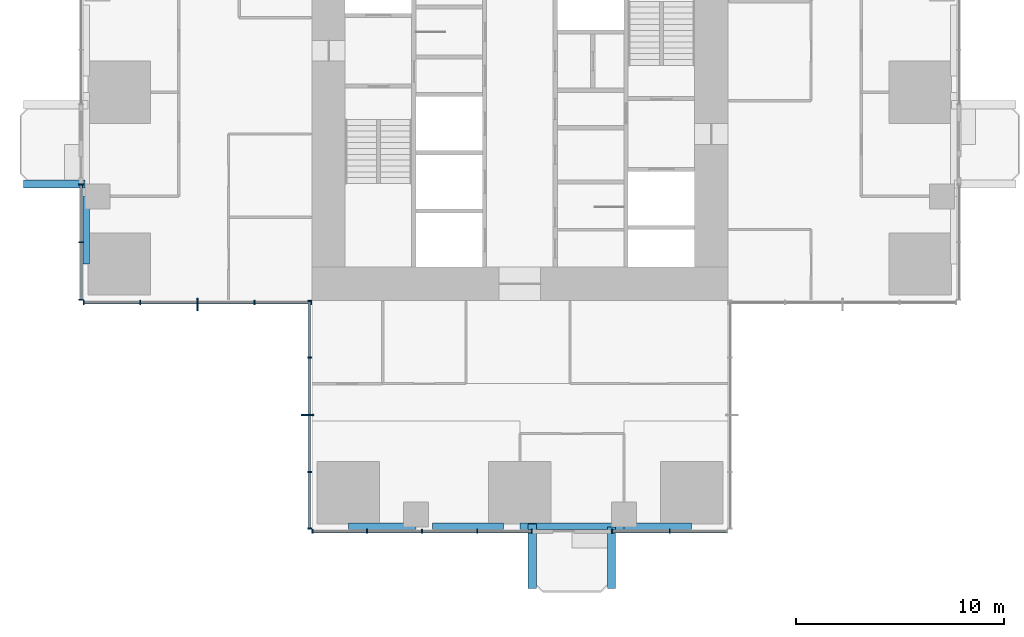
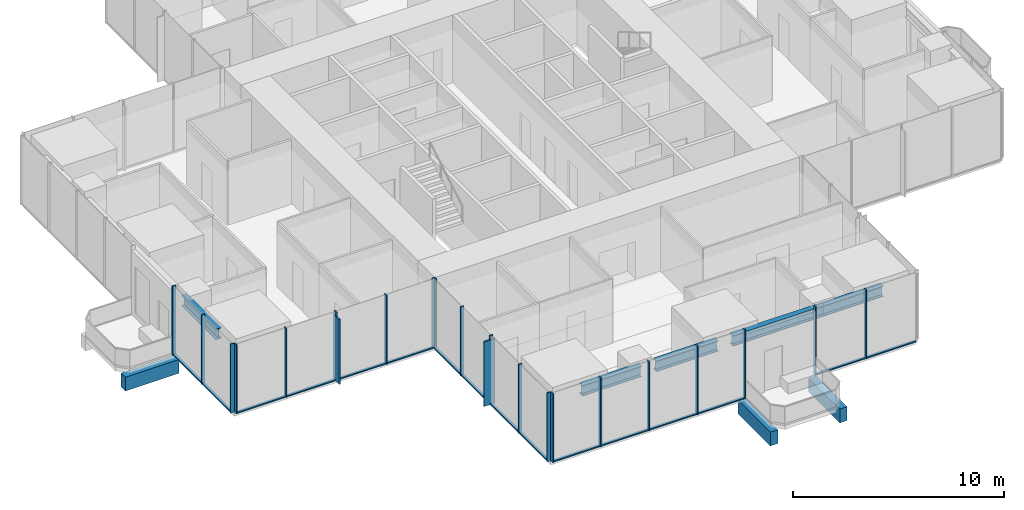
# One storey, part 2 of 14: 38 members, 8 beams, 5 elements without a shape of their own.
"""IFC4 building model written with IfcOpenShell, lengths in metres."""

from ifc_helpers import new_model, si_unit, direction, frame, origin, origin_2d, place, context, subcontext, project, spatial, rectangle, i_section, extrude, material, material_profile, profile_set, type_object, element, aggregate, save


model = new_model("IFC4")

# Units and contexts
model_context = context("Model", 3, precision=1e-05, world=origin(), true_north=direction((0.0, 1.0)))
body_context = subcontext(model_context, "Body", "Model", "MODEL_VIEW")
ifc_project = project(units=[si_unit("LENGTHUNIT", "METRE"), si_unit("AREAUNIT", "SQUARE_METRE"), si_unit("VOLUMEUNIT", "CUBIC_METRE"), si_unit("PLANEANGLEUNIT", "RADIAN"), si_unit("MASSUNIT", "GRAM", prefix="KILO")], contexts=[model_context])

# Site, building, storey
site_placement = place(None, origin())
site = spatial("IfcSite", under=ifc_project, at=site_placement, CompositionType="ELEMENT")
building_placement = place(site_placement, origin())
building = spatial("IfcBuilding", under=site, at=building_placement, Name="Svetlomir Tower", CompositionType="ELEMENT")
storey_placement = place(building_placement, frame((0.0, 0.0, 112.5)))
storey = spatial("IfcBuildingStorey", under=building, at=storey_placement, Name="L26", CompositionType="ELEMENT", Elevation=112.5)

# Beams
ifc_material_1 = material(Name="Concrete C60/75", Category="concrete")
ifc_material_profile_1 = material_profile(ifc_material_1, rectangle(XDim=0.39990234375, YDim=0.800048828125, at=origin_2d()), Name="RC 400x800")
ifc_profile_set_1 = profile_set([ifc_material_profile_1], Name="Concrete C60/75")
beam_type_1 = type_object("IfcBeamType", Name="BALCONY RIB RC 400x800", PredefinedType="BEAM", material=ifc_profile_set_1)
beam_1_placement = place(storey_placement, frame((21.60009765625, 0.25, -0.64990234375), z_axis=(0.0, -1.0, 0.0), x_axis=(1.0, 0.0, 0.0)))
element("IfcBeam", 1, at=beam_1_placement, inside=storey, type_object=beam_type_1, Name="Balcony rib S 1 L26", PredefinedType="BEAM", context=body_context, shape_type="SweptSolid", body=[
    extrude(rectangle(XDim=0.39990234375, YDim=0.800048828125, at=origin_2d()), origin(), (0.0, 0.0, 1.0), 3.10009765625),
])
for number, where, z_axis, x_axis, name in (
    (2, (25.39990234375, 0.10009765625, -0.64990234375), (0.0, -1.0, 0.0), (1.0, 0.0, 0.0), "Balcony rib S 2 L26"),
    (3, (0.10009765625, 16.60009765625, -0.64990234375), (-1.0, 0.0, 0.0), (0.0, -1.0, 0.0), "Balcony rib W 1 L26"),
):
    element("IfcBeam", number, at=place(storey_placement, frame(where, z_axis=z_axis, x_axis=x_axis)), inside=storey, type_object=beam_type_1, Name=name, PredefinedType="BEAM", context=body_context, shape_type="SweptSolid", body=[
        extrude(rectangle(XDim=0.39990234375, YDim=0.800048828125, at=origin_2d()), origin(), (0.0, 0.0, 1.0), 2.9501953125),
    ])

# Curtain wall, member
ifc_material_2 = material(Name="Bronze anodised aluminium curtain wall", Category="aluminium")
curtain_wall_type = type_object("IfcCurtainWallType", Name="CURTAIN WALL CW1 TOWER OFFICE", PredefinedType="NOTDEFINED", material=ifc_material_2)
curtain_wall_1_placement = place(storey_placement, origin())
curtain_wall_1 = element("IfcCurtainWall", 4, at=curtain_wall_1_placement, inside=storey, type_object=curtain_wall_type, Name="Curtain wall CW1 L26", PredefinedType="NOTDEFINED")
ifc_material_3 = material(Name="Bronze anodised aluminium", Category="aluminium")
ifc_material_profile_2 = material_profile(ifc_material_3, rectangle(XDim=0.080078125, YDim=0.60009765625, at=origin_2d()), Name="FIN 80x600")
ifc_profile_set_2 = profile_set([ifc_material_profile_2], Name="Bronze anodised aluminium 6063-T6")
member_type_1 = type_object("IfcMemberType", Name="BRONZE FIN 80x600", PredefinedType="USERDEFINED", material=ifc_profile_set_2)
member_1_placement = place(storey_placement, frame((5.5, 10.800048828125, 0.0), z_axis=(0.0, 0.0, 1.0), x_axis=(1.0, 0.0, 0.0)))
member_1 = element("IfcMember", 5, at=member_1_placement, type_object=member_type_1, Name="Bronze fin L26", ObjectType="FIN", PredefinedType="USERDEFINED", context=body_context, shape_type="SweptSolid", body=[
    extrude(rectangle(XDim=0.080078125, YDim=0.60009765625, at=origin_2d()), origin(), (0.0, 0.0, 1.0), 3.75),
])

curtain_wall_2_placement = place(storey_placement, origin())
curtain_wall_2 = element("IfcCurtainWall", 6, at=curtain_wall_2_placement, inside=storey, type_object=curtain_wall_type, Name="Curtain wall CW1 L26", PredefinedType="NOTDEFINED")
member_2_placement = place(storey_placement, frame((10.800048828125, 5.5, 0.0), z_axis=(0.0, 0.0, 1.0), x_axis=(0.0, 1.0, 0.0)))
member_2 = element("IfcMember", 7, at=member_2_placement, type_object=member_type_1, Name="Bronze fin L26", ObjectType="FIN", PredefinedType="USERDEFINED", context=body_context, shape_type="SweptSolid", body=[
    extrude(rectangle(XDim=0.080078125, YDim=0.60009765625, at=origin_2d()), origin(), (0.0, 0.0, 1.0), 3.75),
])

# Curtain wall, members
curtain_wall_3_placement = place(storey_placement, origin())
curtain_wall_3 = element("IfcCurtainWall", 8, at=curtain_wall_3_placement, inside=storey, type_object=curtain_wall_type, Name="Curtain wall CW1 L26", PredefinedType="NOTDEFINED")
ifc_material_4 = material(Name="Bronze anodised aluminium", Category="aluminium")
ifc_material_profile_3 = material_profile(ifc_material_4, rectangle(XDim=0.06494140625, YDim=0.199951171875, at=origin_2d()), Name="AL 65x200")
ifc_profile_set_3 = profile_set([ifc_material_profile_3], Name="Bronze anodised aluminium 6063-T6")
member_type_2 = type_object("IfcMemberType", Name="CW1 MULLION 65x200", PredefinedType="MULLION", material=ifc_profile_set_3)
member_3_placement = place(storey_placement, frame((11.032470703125, -0.10009765625, 0.0), z_axis=(0.0, 0.0, 1.0), x_axis=(1.0, 0.0, 0.0)))
member_3 = element("IfcMember", 9, at=member_3_placement, type_object=member_type_2, Name="CW1 mullion 1", PredefinedType="MULLION", context=body_context, shape_type="SweptSolid", body=[
    extrude(rectangle(XDim=0.06494140625, YDim=0.199951171875, at=origin_2d()), origin(), (0.0, 0.0, 1.0), 4.0),
])
member_4_placement = place(storey_placement, frame((13.64990234375, -0.10009765625, 0.0), z_axis=(0.0, 0.0, 1.0), x_axis=(1.0, 0.0, 0.0)))
member_4 = element("IfcMember", 10, at=member_4_placement, type_object=member_type_2, Name="CW1 mullion 2", PredefinedType="MULLION", context=body_context, shape_type="SweptSolid", body=[
    extrude(rectangle(XDim=0.06494140625, YDim=0.199951171875, at=origin_2d()), origin(), (0.0, 0.0, 1.0), 4.0),
])
member_5_placement = place(storey_placement, frame((16.300048828125, -0.10009765625, 0.0), z_axis=(0.0, 0.0, 1.0), x_axis=(1.0, 0.0, 0.0)))
member_5 = element("IfcMember", 11, at=member_5_placement, type_object=member_type_2, Name="CW1 mullion 3", PredefinedType="MULLION", context=body_context, shape_type="SweptSolid", body=[
    extrude(rectangle(XDim=0.06494140625, YDim=0.199951171875, at=origin_2d()), origin(), (0.0, 0.0, 1.0), 4.0),
])
member_6_placement = place(storey_placement, frame((18.949951171875, -0.10009765625, 0.0), z_axis=(0.0, 0.0, 1.0), x_axis=(1.0, 0.0, 0.0)))
member_6 = element("IfcMember", 12, at=member_6_placement, type_object=member_type_2, Name="CW1 mullion 4", PredefinedType="MULLION", context=body_context, shape_type="SweptSolid", body=[
    extrude(rectangle(XDim=0.06494140625, YDim=0.199951171875, at=origin_2d()), origin(), (0.0, 0.0, 1.0), 4.0),
])
member_7_placement = place(storey_placement, frame((21.5673828125, -0.10009765625, 0.0), z_axis=(0.0, 0.0, 1.0), x_axis=(1.0, 0.0, 0.0)))
member_7 = element("IfcMember", 13, at=member_7_placement, type_object=member_type_2, Name="CW1 mullion 5", PredefinedType="MULLION", context=body_context, shape_type="SweptSolid", body=[
    extrude(rectangle(XDim=0.06494140625, YDim=0.199951171875, at=origin_2d()), origin(), (0.0, 0.0, 1.0), 4.0),
])

curtain_wall_4_placement = place(storey_placement, origin())
curtain_wall_4 = element("IfcCurtainWall", 14, at=curtain_wall_4_placement, inside=storey, type_object=curtain_wall_type, Name="Curtain wall CW1 L26", PredefinedType="NOTDEFINED")
member_8_placement = place(storey_placement, frame((25.4326171875, -0.10009765625, 0.0), z_axis=(0.0, 0.0, 1.0), x_axis=(1.0, 0.0, 0.0)))
member_8 = element("IfcMember", 15, at=member_8_placement, type_object=member_type_2, Name="CW1 mullion 1", PredefinedType="MULLION", context=body_context, shape_type="SweptSolid", body=[
    extrude(rectangle(XDim=0.06494140625, YDim=0.199951171875, at=origin_2d()), origin(), (0.0, 0.0, 1.0), 4.0),
])
member_9_placement = place(storey_placement, frame((28.199951171875, -0.10009765625, 0.0), z_axis=(0.0, 0.0, 1.0), x_axis=(1.0, 0.0, 0.0)))
member_9 = element("IfcMember", 16, at=member_9_placement, type_object=member_type_2, Name="CW1 mullion 2", PredefinedType="MULLION", context=body_context, shape_type="SweptSolid", body=[
    extrude(rectangle(XDim=0.06494140625, YDim=0.199951171875, at=origin_2d()), origin(), (0.0, 0.0, 1.0), 4.0),
])

curtain_wall_5_placement = place(storey_placement, origin())
curtain_wall_5 = element("IfcCurtainWall", 17, at=curtain_wall_5_placement, inside=storey, type_object=curtain_wall_type, Name="Curtain wall CW1 L26", PredefinedType="NOTDEFINED")
member_10_placement = place(storey_placement, frame((-0.10009765625, 16.5673828125, 0.0), z_axis=(0.0, 0.0, 1.0), x_axis=(0.0, -1.0, 0.0)))
member_10 = element("IfcMember", 18, at=member_10_placement, type_object=member_type_2, Name="CW1 mullion 1", PredefinedType="MULLION", context=body_context, shape_type="SweptSolid", body=[
    extrude(rectangle(XDim=0.06494140625, YDim=0.199951171875, at=origin_2d()), origin(), (0.0, 0.0, 1.0), 4.0),
])
member_11_placement = place(storey_placement, frame((-0.10009765625, 13.800048828125, 0.0), z_axis=(0.0, 0.0, 1.0), x_axis=(0.0, -1.0, 0.0)))
member_11 = element("IfcMember", 19, at=member_11_placement, type_object=member_type_2, Name="CW1 mullion 2", PredefinedType="MULLION", context=body_context, shape_type="SweptSolid", body=[
    extrude(rectangle(XDim=0.06494140625, YDim=0.199951171875, at=origin_2d()), origin(), (0.0, 0.0, 1.0), 4.0),
])
member_12_placement = place(storey_placement, frame((-0.10009765625, 11.032470703125, 0.0), z_axis=(0.0, 0.0, 1.0), x_axis=(0.0, -1.0, 0.0)))
member_12 = element("IfcMember", 20, at=member_12_placement, type_object=member_type_2, Name="CW1 mullion 3", PredefinedType="MULLION", context=body_context, shape_type="SweptSolid", body=[
    extrude(rectangle(XDim=0.06494140625, YDim=0.199951171875, at=origin_2d()), origin(), (0.0, 0.0, 1.0), 4.0),
])

# Member
member_13_placement = place(storey_placement, frame((0.032470703125, 10.89990234375, 0.0), z_axis=(0.0, 0.0, 1.0), x_axis=(1.0, 0.0, 0.0)))
member_13 = element("IfcMember", 21, at=member_13_placement, type_object=member_type_2, Name="CW1 mullion 1", PredefinedType="MULLION", context=body_context, shape_type="SweptSolid", body=[
    extrude(rectangle(XDim=0.06494140625, YDim=0.199951171875, at=origin_2d()), origin(), (0.0, 0.0, 1.0), 4.0),
])

member_14_placement = place(storey_placement, frame((2.75, 10.89990234375, 0.0), z_axis=(0.0, 0.0, 1.0), x_axis=(1.0, 0.0, 0.0)))
member_14 = element("IfcMember", 22, at=member_14_placement, type_object=member_type_2, Name="CW1 mullion 2", PredefinedType="MULLION", context=body_context, shape_type="SweptSolid", body=[
    extrude(rectangle(XDim=0.06494140625, YDim=0.199951171875, at=origin_2d()), origin(), (0.0, 0.0, 1.0), 4.0),
])

member_15_placement = place(storey_placement, frame((5.5, 10.89990234375, 0.0), z_axis=(0.0, 0.0, 1.0), x_axis=(1.0, 0.0, 0.0)))
member_15 = element("IfcMember", 23, at=member_15_placement, type_object=member_type_2, Name="CW1 mullion 3", PredefinedType="MULLION", context=body_context, shape_type="SweptSolid", body=[
    extrude(rectangle(XDim=0.06494140625, YDim=0.199951171875, at=origin_2d()), origin(), (0.0, 0.0, 1.0), 4.0),
])

member_16_placement = place(storey_placement, frame((8.25, 10.89990234375, 0.0), z_axis=(0.0, 0.0, 1.0), x_axis=(1.0, 0.0, 0.0)))
member_16 = element("IfcMember", 24, at=member_16_placement, type_object=member_type_2, Name="CW1 mullion 4", PredefinedType="MULLION", context=body_context, shape_type="SweptSolid", body=[
    extrude(rectangle(XDim=0.06494140625, YDim=0.199951171875, at=origin_2d()), origin(), (0.0, 0.0, 1.0), 4.0),
])

member_17_placement = place(storey_placement, frame((10.967529296875, 10.89990234375, 0.0), z_axis=(0.0, 0.0, 1.0), x_axis=(1.0, 0.0, 0.0)))
member_17 = element("IfcMember", 25, at=member_17_placement, type_object=member_type_2, Name="CW1 mullion 5", PredefinedType="MULLION", context=body_context, shape_type="SweptSolid", body=[
    extrude(rectangle(XDim=0.06494140625, YDim=0.199951171875, at=origin_2d()), origin(), (0.0, 0.0, 1.0), 4.0),
])

member_18_placement = place(storey_placement, frame((10.89990234375, 10.967529296875, 0.0), z_axis=(0.0, 0.0, 1.0), x_axis=(0.0, -1.0, 0.0)))
member_18 = element("IfcMember", 26, at=member_18_placement, type_object=member_type_2, Name="CW1 mullion 1", PredefinedType="MULLION", context=body_context, shape_type="SweptSolid", body=[
    extrude(rectangle(XDim=0.06494140625, YDim=0.199951171875, at=origin_2d()), origin(), (0.0, 0.0, 1.0), 4.0),
])

member_19_placement = place(storey_placement, frame((10.89990234375, 8.25, 0.0), z_axis=(0.0, 0.0, 1.0), x_axis=(0.0, -1.0, 0.0)))
member_19 = element("IfcMember", 27, at=member_19_placement, type_object=member_type_2, Name="CW1 mullion 2", PredefinedType="MULLION", context=body_context, shape_type="SweptSolid", body=[
    extrude(rectangle(XDim=0.06494140625, YDim=0.199951171875, at=origin_2d()), origin(), (0.0, 0.0, 1.0), 4.0),
])

member_20_placement = place(storey_placement, frame((10.89990234375, 5.5, 0.0), z_axis=(0.0, 0.0, 1.0), x_axis=(0.0, -1.0, 0.0)))
member_20 = element("IfcMember", 28, at=member_20_placement, type_object=member_type_2, Name="CW1 mullion 3", PredefinedType="MULLION", context=body_context, shape_type="SweptSolid", body=[
    extrude(rectangle(XDim=0.06494140625, YDim=0.199951171875, at=origin_2d()), origin(), (0.0, 0.0, 1.0), 4.0),
])

member_21_placement = place(storey_placement, frame((10.89990234375, 2.75, 0.0), z_axis=(0.0, 0.0, 1.0), x_axis=(0.0, -1.0, 0.0)))
member_21 = element("IfcMember", 29, at=member_21_placement, type_object=member_type_2, Name="CW1 mullion 4", PredefinedType="MULLION", context=body_context, shape_type="SweptSolid", body=[
    extrude(rectangle(XDim=0.06494140625, YDim=0.199951171875, at=origin_2d()), origin(), (0.0, 0.0, 1.0), 4.0),
])

member_22_placement = place(storey_placement, frame((10.89990234375, 0.032470703125, 0.0), z_axis=(0.0, 0.0, 1.0), x_axis=(0.0, -1.0, 0.0)))
member_22 = element("IfcMember", 30, at=member_22_placement, type_object=member_type_2, Name="CW1 mullion 5", PredefinedType="MULLION", context=body_context, shape_type="SweptSolid", body=[
    extrude(rectangle(XDim=0.06494140625, YDim=0.199951171875, at=origin_2d()), origin(), (0.0, 0.0, 1.0), 4.0),
])

ifc_material_5 = material(Name="Bronze anodised aluminium", Category="aluminium")
ifc_material_profile_4 = material_profile(ifc_material_5, rectangle(XDim=0.139892578125, YDim=0.06494140625, at=origin_2d()), Name="AL 140x65")
ifc_profile_set_4 = profile_set([ifc_material_profile_4], Name="Bronze anodised aluminium 6063-T6")
member_type_3 = type_object("IfcMemberType", Name="CW1 TRANSOM 65x140", PredefinedType="USERDEFINED", material=ifc_profile_set_4)
member_23_placement = place(storey_placement, frame((11.06494140625, -0.10009765625, 0.032470703125), z_axis=(1.0, 0.0, 0.0), x_axis=(0.0, 1.0, 0.0)))
member_23 = element("IfcMember", 31, at=member_23_placement, type_object=member_type_3, Name="CW1 transom 1.1", ObjectType="TRANSOM", PredefinedType="USERDEFINED", context=body_context, shape_type="SweptSolid", body=[
    extrude(rectangle(XDim=0.139892578125, YDim=0.06494140625, at=origin_2d()), origin(), (0.0, 0.0, 1.0), 2.552490234375),
])

member_24_placement = place(storey_placement, frame((13.6826171875, -0.10009765625, 0.032470703125), z_axis=(1.0, 0.0, 0.0), x_axis=(0.0, 1.0, 0.0)))
member_24 = element("IfcMember", 32, at=member_24_placement, type_object=member_type_3, Name="CW1 transom 2.1", ObjectType="TRANSOM", PredefinedType="USERDEFINED", context=body_context, shape_type="SweptSolid", body=[
    extrude(rectangle(XDim=0.139892578125, YDim=0.06494140625, at=origin_2d()), origin(), (0.0, 0.0, 1.0), 2.5849609375),
])

member_25_placement = place(storey_placement, frame((16.33251953125, -0.10009765625, 0.032470703125), z_axis=(1.0, 0.0, 0.0), x_axis=(0.0, 1.0, 0.0)))
member_25 = element("IfcMember", 33, at=member_25_placement, type_object=member_type_3, Name="CW1 transom 3.1", ObjectType="TRANSOM", PredefinedType="USERDEFINED", context=body_context, shape_type="SweptSolid", body=[
    extrude(rectangle(XDim=0.139892578125, YDim=0.06494140625, at=origin_2d()), origin(), (0.0, 0.0, 1.0), 2.5849609375),
])

member_26_placement = place(storey_placement, frame((18.982421875, -0.10009765625, 0.032470703125), z_axis=(1.0, 0.0, 0.0), x_axis=(0.0, 1.0, 0.0)))
member_26 = element("IfcMember", 34, at=member_26_placement, type_object=member_type_3, Name="CW1 transom 4.1", ObjectType="TRANSOM", PredefinedType="USERDEFINED", context=body_context, shape_type="SweptSolid", body=[
    extrude(rectangle(XDim=0.139892578125, YDim=0.06494140625, at=origin_2d()), origin(), (0.0, 0.0, 1.0), 2.552490234375),
])

aggregate(curtain_wall_3, [member_3, member_4, member_5, member_6, member_7, member_23, member_24, member_25, member_26])

member_27_placement = place(storey_placement, frame((25.465087890625, -0.10009765625, 0.032470703125), z_axis=(1.0, 0.0, 0.0), x_axis=(0.0, 1.0, 0.0)))
member_27 = element("IfcMember", 35, at=member_27_placement, type_object=member_type_3, Name="CW1 transom 1.1", ObjectType="TRANSOM", PredefinedType="USERDEFINED", context=body_context, shape_type="SweptSolid", body=[
    extrude(rectangle(XDim=0.139892578125, YDim=0.06494140625, at=origin_2d()), origin(), (0.0, 0.0, 1.0), 2.702392578125),
])

member_28_placement = place(storey_placement, frame((28.232421875, -0.10009765625, 0.032470703125), z_axis=(1.0, 0.0, 0.0), x_axis=(0.0, 1.0, 0.0)))
member_28 = element("IfcMember", 36, at=member_28_placement, type_object=member_type_3, Name="CW1 transom 2.1", ObjectType="TRANSOM", PredefinedType="USERDEFINED", context=body_context, shape_type="SweptSolid", body=[
    extrude(rectangle(XDim=0.139892578125, YDim=0.06494140625, at=origin_2d()), origin(), (0.0, 0.0, 1.0), 2.70263671875),
])

aggregate(curtain_wall_4, [member_8, member_9, member_27, member_28])

member_29_placement = place(storey_placement, frame((-0.10009765625, 16.534912109375, 0.032470703125), z_axis=(0.0, -1.0, 0.0), x_axis=(1.0, 0.0, 0.0)))
member_29 = element("IfcMember", 37, at=member_29_placement, type_object=member_type_3, Name="CW1 transom 1.1", ObjectType="TRANSOM", PredefinedType="USERDEFINED", context=body_context, shape_type="SweptSolid", body=[
    extrude(rectangle(XDim=0.139892578125, YDim=0.06494140625, at=origin_2d()), origin(), (0.0, 0.0, 1.0), 2.702392578125),
])

member_30_placement = place(storey_placement, frame((-0.10009765625, 13.767578125, 0.032470703125), z_axis=(0.0, -1.0, 0.0), x_axis=(1.0, 0.0, 0.0)))
member_30 = element("IfcMember", 38, at=member_30_placement, type_object=member_type_3, Name="CW1 transom 2.1", ObjectType="TRANSOM", PredefinedType="USERDEFINED", context=body_context, shape_type="SweptSolid", body=[
    extrude(rectangle(XDim=0.139892578125, YDim=0.06494140625, at=origin_2d()), origin(), (0.0, 0.0, 1.0), 2.70263671875),
])

aggregate(curtain_wall_5, [member_10, member_11, member_12, member_29, member_30])

member_31_placement = place(storey_placement, frame((0.06494140625, 10.89990234375, 0.032470703125), z_axis=(1.0, 0.0, 0.0), x_axis=(0.0, 1.0, 0.0)))
member_31 = element("IfcMember", 39, at=member_31_placement, type_object=member_type_3, Name="CW1 transom 1.1", ObjectType="TRANSOM", PredefinedType="USERDEFINED", context=body_context, shape_type="SweptSolid", body=[
    extrude(rectangle(XDim=0.139892578125, YDim=0.06494140625, at=origin_2d()), origin(), (0.0, 0.0, 1.0), 2.652587890625),
])

member_32_placement = place(storey_placement, frame((2.782470703125, 10.89990234375, 0.032470703125), z_axis=(1.0, 0.0, 0.0), x_axis=(0.0, 1.0, 0.0)))
member_32 = element("IfcMember", 40, at=member_32_placement, type_object=member_type_3, Name="CW1 transom 2.1", ObjectType="TRANSOM", PredefinedType="USERDEFINED", context=body_context, shape_type="SweptSolid", body=[
    extrude(rectangle(XDim=0.139892578125, YDim=0.06494140625, at=origin_2d()), origin(), (0.0, 0.0, 1.0), 2.68505859375),
])

member_33_placement = place(storey_placement, frame((5.532470703125, 10.89990234375, 0.032470703125), z_axis=(1.0, 0.0, 0.0), x_axis=(0.0, 1.0, 0.0)))
member_33 = element("IfcMember", 41, at=member_33_placement, type_object=member_type_3, Name="CW1 transom 3.1", ObjectType="TRANSOM", PredefinedType="USERDEFINED", context=body_context, shape_type="SweptSolid", body=[
    extrude(rectangle(XDim=0.139892578125, YDim=0.06494140625, at=origin_2d()), origin(), (0.0, 0.0, 1.0), 2.68505859375),
])

member_34_placement = place(storey_placement, frame((8.282470703125, 10.89990234375, 0.032470703125), z_axis=(1.0, 0.0, 0.0), x_axis=(0.0, 1.0, 0.0)))
member_34 = element("IfcMember", 42, at=member_34_placement, type_object=member_type_3, Name="CW1 transom 4.1", ObjectType="TRANSOM", PredefinedType="USERDEFINED", context=body_context, shape_type="SweptSolid", body=[
    extrude(rectangle(XDim=0.139892578125, YDim=0.06494140625, at=origin_2d()), origin(), (0.0, 0.0, 1.0), 2.652587890625),
])

aggregate(curtain_wall_1, [member_13, member_14, member_15, member_16, member_17, member_31, member_32, member_33, member_34, member_1])

member_35_placement = place(storey_placement, frame((10.89990234375, 10.93505859375, 0.032470703125), z_axis=(0.0, -1.0, 0.0), x_axis=(1.0, 0.0, 0.0)))
member_35 = element("IfcMember", 43, at=member_35_placement, type_object=member_type_3, Name="CW1 transom 1.1", ObjectType="TRANSOM", PredefinedType="USERDEFINED", context=body_context, shape_type="SweptSolid", body=[
    extrude(rectangle(XDim=0.139892578125, YDim=0.06494140625, at=origin_2d()), origin(), (0.0, 0.0, 1.0), 2.652587890625),
])

member_36_placement = place(storey_placement, frame((10.89990234375, 8.217529296875, 0.032470703125), z_axis=(0.0, -1.0, 0.0), x_axis=(1.0, 0.0, 0.0)))
member_36 = element("IfcMember", 44, at=member_36_placement, type_object=member_type_3, Name="CW1 transom 2.1", ObjectType="TRANSOM", PredefinedType="USERDEFINED", context=body_context, shape_type="SweptSolid", body=[
    extrude(rectangle(XDim=0.139892578125, YDim=0.06494140625, at=origin_2d()), origin(), (0.0, 0.0, 1.0), 2.68505859375),
])

member_37_placement = place(storey_placement, frame((10.89990234375, 5.467529296875, 0.032470703125), z_axis=(0.0, -1.0, 0.0), x_axis=(1.0, 0.0, 0.0)))
member_37 = element("IfcMember", 45, at=member_37_placement, type_object=member_type_3, Name="CW1 transom 3.1", ObjectType="TRANSOM", PredefinedType="USERDEFINED", context=body_context, shape_type="SweptSolid", body=[
    extrude(rectangle(XDim=0.139892578125, YDim=0.06494140625, at=origin_2d()), origin(), (0.0, 0.0, 1.0), 2.68505859375),
])

member_38_placement = place(storey_placement, frame((10.89990234375, 2.717529296875, 0.032470703125), z_axis=(0.0, -1.0, 0.0), x_axis=(1.0, 0.0, 0.0)))
member_38 = element("IfcMember", 46, at=member_38_placement, type_object=member_type_3, Name="CW1 transom 4.1", ObjectType="TRANSOM", PredefinedType="USERDEFINED", context=body_context, shape_type="SweptSolid", body=[
    extrude(rectangle(XDim=0.139892578125, YDim=0.06494140625, at=origin_2d()), origin(), (0.0, 0.0, 1.0), 2.652587890625),
])

aggregate(curtain_wall_2, [member_18, member_19, member_20, member_21, member_22, member_35, member_36, member_37, member_38, member_2])

# Beams
ifc_material_6 = material(Name="Steel S355", Category="steel")
ifc_material_profile_5 = material_profile(ifc_material_6, i_section(OverallWidth=0.304931640625, OverallDepth=0.6201171875, WebThickness=0.02099609375, FlangeThickness=0.0400390625, FilletRadius=0.027099609375, at=origin_2d()), Name="HEM 600")
ifc_profile_set_5 = profile_set([ifc_material_profile_5], Name="Steel S355")
beam_type_2 = type_object("IfcBeamType", Name="EDGE BEAM HEM 600", PredefinedType="SPANDREL", material=ifc_profile_set_5)
for number, where, z_axis, x_axis, name in (
    (47, (12.75, 0.152587890625, 3.43994140625), (1.0, 0.0, 0.0), (0.0, 1.0, 0.0), "Edge beam 11/0 to 16/0 under L27"),
    (48, (0.152587890625, 12.75, 3.43994140625), (0.0, 1.0, 0.0), (-1.0, 0.0, 0.0), "Edge beam 0/11 to 0/16 under L27"),
):
    element("IfcBeam", number, at=place(storey_placement, frame(where, z_axis=z_axis, x_axis=x_axis)), inside=storey, type_object=beam_type_2, Name=name, PredefinedType="SPANDREL", context=body_context, shape_type="SweptSolid", body=[
        extrude(i_section(OverallWidth=0.304931640625, OverallDepth=0.6201171875, WebThickness=0.02099609375, FlangeThickness=0.0400390625, FilletRadius=0.027099609375, at=origin_2d()), origin(), (0.0, 0.0, 1.0), 3.25),
    ])
beam_2_placement = place(storey_placement, frame((16.800048828125, 0.152587890625, 3.43994140625), z_axis=(1.0, 0.0, 0.0), x_axis=(0.0, 1.0, 0.0)))
element("IfcBeam", 49, at=beam_2_placement, inside=storey, type_object=beam_type_2, Name="Edge beam 16/0 to 21/0 under L27", PredefinedType="SPANDREL", context=body_context, shape_type="SweptSolid", body=[
    extrude(i_section(OverallWidth=0.304931640625, OverallDepth=0.6201171875, WebThickness=0.02099609375, FlangeThickness=0.0400390625, FilletRadius=0.027099609375, at=origin_2d()), origin(), (0.0, 0.0, 1.0), 3.39990234375),
])
beam_3_placement = place(storey_placement, frame((21.0, 0.152587890625, 3.43994140625), z_axis=(1.0, 0.0, 0.0), x_axis=(0.0, 1.0, 0.0)))
element("IfcBeam", 50, at=beam_3_placement, inside=storey, type_object=beam_type_2, Name="Edge beam 21/0 to 26/0 under L27", PredefinedType="SPANDREL", context=body_context, shape_type="SweptSolid", body=[
    extrude(i_section(OverallWidth=0.304931640625, OverallDepth=0.6201171875, WebThickness=0.02099609375, FlangeThickness=0.0400390625, FilletRadius=0.027099609375, at=origin_2d()), origin(), (0.0, 0.0, 1.0), 5.0),
])
beam_4_placement = place(storey_placement, frame((26.0, 0.152587890625, 3.43994140625), z_axis=(1.0, 0.0, 0.0), x_axis=(0.0, 1.0, 0.0)))
element("IfcBeam", 51, at=beam_4_placement, inside=storey, type_object=beam_type_2, Name="Edge beam 26/0 to 31/0 under L27", PredefinedType="SPANDREL", context=body_context, shape_type="SweptSolid", body=[
    extrude(i_section(OverallWidth=0.304931640625, OverallDepth=0.6201171875, WebThickness=0.02099609375, FlangeThickness=0.0400390625, FilletRadius=0.027099609375, at=origin_2d()), origin(), (0.0, 0.0, 1.0), 3.25),
])

save(model, "model.ifc")
